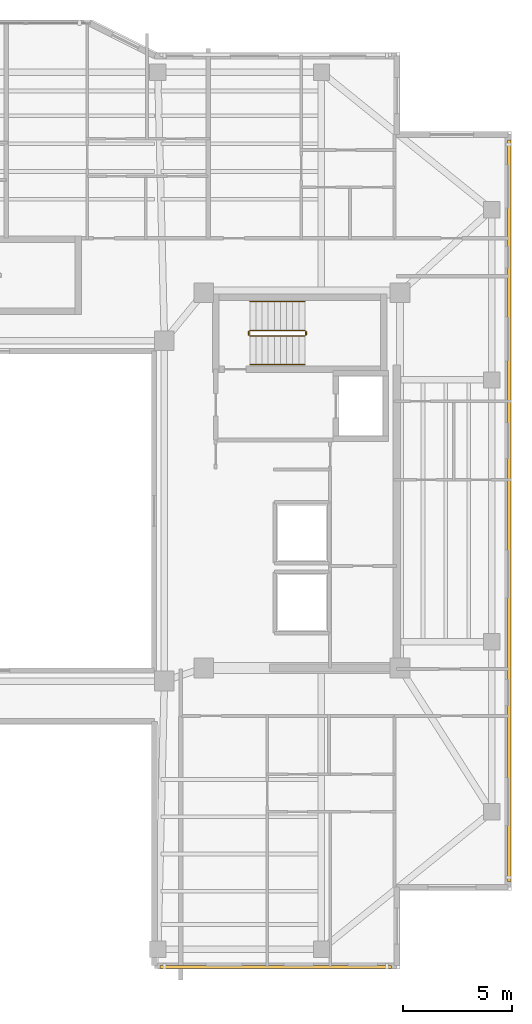
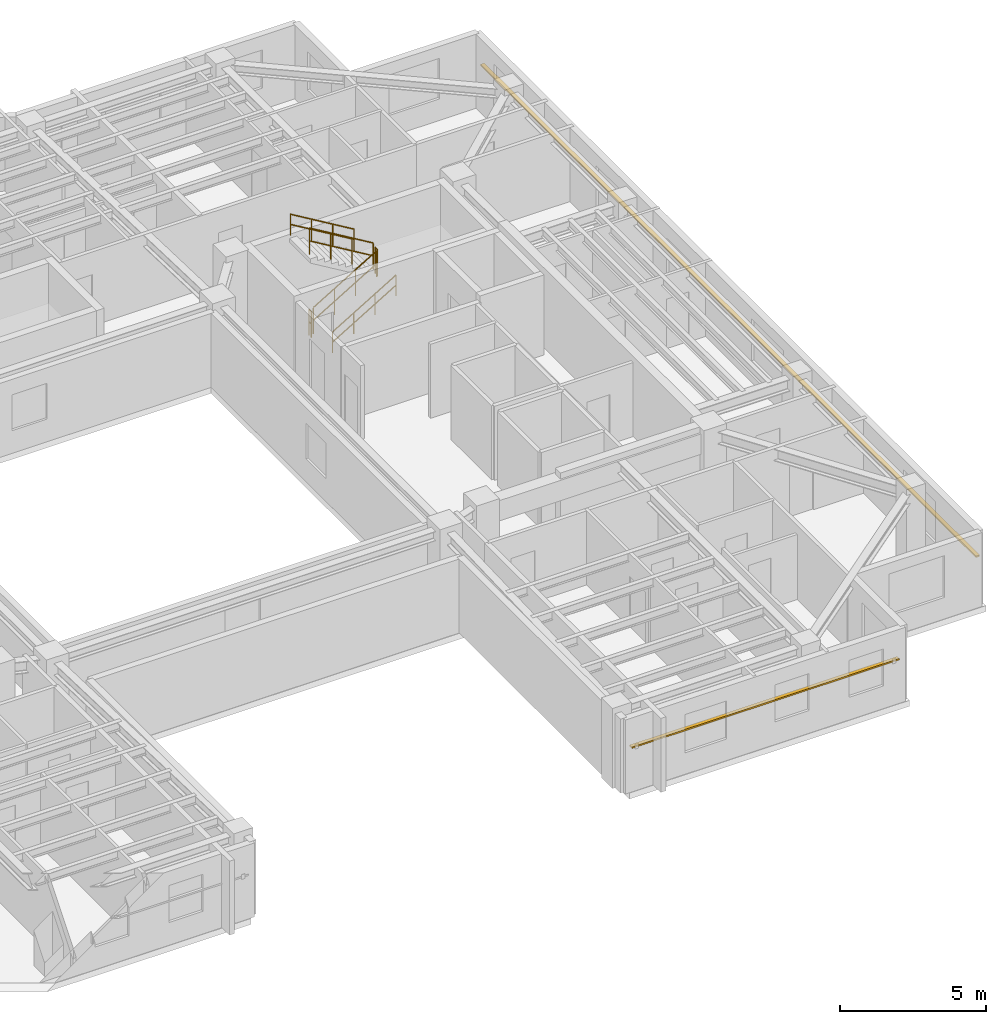
# One storey, part 11 of 12: 6 railings, 2 shading devices.
"""IFC4 building model written with IfcOpenShell, lengths in metres."""

from ifc_helpers import new_model, si_unit, direction, frame, origin, origin_2d, place, context, subcontext, project, spatial, rectangle, circle, extrude, material, material_profile, profile_set, type_object, element, save


model = new_model("IFC4")

# Units and contexts
model_context = context("Model", 3, precision=1e-05, world=origin(), true_north=direction((0.0, 1.0)))
body_context = subcontext(model_context, "Body", "Model", "MODEL_VIEW")
ifc_project = project(units=[si_unit("LENGTHUNIT", "METRE"), si_unit("AREAUNIT", "SQUARE_METRE"), si_unit("VOLUMEUNIT", "CUBIC_METRE"), si_unit("PLANEANGLEUNIT", "RADIAN"), si_unit("MASSUNIT", "GRAM", prefix="KILO")], contexts=[model_context])

# Site, building, storey
site_placement = place(None, origin())
site = spatial("IfcSite", under=ifc_project, at=site_placement, CompositionType="ELEMENT")
building_placement = place(site_placement, origin())
building = spatial("IfcBuilding", under=site, at=building_placement, Name="Tarnavaz Court Tower", CompositionType="ELEMENT")
storey_placement = place(building_placement, frame((0.0, 0.0, 200.300048828125)))
storey = spatial("IfcBuildingStorey", under=building, at=storey_placement, Name="L54", CompositionType="ELEMENT", Elevation=200.300048828125)

# Railings
ifc_material_1 = material(Name="Brushed Stainless Steel", Category="steel")
railing_type_1 = type_object("IfcRailingType", Name="RL-HANDRAIL-900", PredefinedType="HANDRAIL", material=ifc_material_1)
railing_1_placement = place(storey_placement, frame((11.719970703125, 6.699951171875, 0.16748046875)))
element("IfcRailing", 1, at=railing_1_placement, inside=storey, type_object=railing_type_1, Name="L54 ST-E1 stair handrail 1", PredefinedType="HANDRAIL", context=body_context, shape_type="SweptSolid", body=[
    extrude(circle(Radius=0.02392578125, at=origin_2d()), frame((0.0, 0.0, 0.8759765625), z_axis=(0.858159760407, 0.0, 0.513382728203), x_axis=(0.0, 1.0, 0.0)), (0.0, 0.0, 1.0), 2.9365234375),
    extrude(circle(Radius=0.02392578125, at=origin_2d()), frame((0.0, 0.0, 0.449951171875), z_axis=(0.858159760407, 0.0, 0.513382728203), x_axis=(0.0, 1.0, 0.0)), (0.0, 0.0, 1.0), 2.9365234375),
    extrude(circle(Radius=0.02099609375, at=origin_2d()), origin(), (0.0, 0.0, 1.0), 0.851806640625),
    extrude(circle(Radius=0.02099609375, at=origin_2d()), frame((0.840087890625, 0.0, 0.50244140625)), (0.0, 0.0, 1.0), 0.851806640625),
    extrude(circle(Radius=0.02099609375, at=origin_2d()), frame((1.679931640625, 0.0, 1.005126953125)), (0.0, 0.0, 1.0), 0.851806640625),
    extrude(circle(Radius=0.02099609375, at=origin_2d()), frame((2.52001953125, 0.0, 1.507568359375)), (0.0, 0.0, 1.0), 0.851806640625),
])
railing_2_placement = place(storey_placement, frame((14.239990234375, 9.590087890625, 1.842529296875)))
element("IfcRailing", 2, at=railing_2_placement, inside=storey, type_object=railing_type_1, Name="L54 ST-E1 stair handrail 2", PredefinedType="HANDRAIL", context=body_context, shape_type="SweptSolid", body=[
    extrude(circle(Radius=0.02392578125, at=origin_2d()), frame((0.0, 0.0, 0.8759765625), z_axis=(-0.858196387827, 0.0, 0.513321497621), x_axis=(0.0, -1.0, 0.0)), (0.0, 0.0, 1.0), 2.9365234375),
    extrude(circle(Radius=0.02392578125, at=origin_2d()), frame((0.0, 0.0, 0.449951171875), z_axis=(-0.858196387827, 0.0, 0.513321497621), x_axis=(0.0, -1.0, 0.0)), (0.0, 0.0, 1.0), 2.9365234375),
    extrude(circle(Radius=0.02099609375, at=origin_2d()), origin(), (0.0, 0.0, 1.0), 0.851806640625),
    extrude(circle(Radius=0.02099609375, at=origin_2d()), frame((-0.840087890625, 0.0, 0.50244140625)), (0.0, 0.0, 1.0), 0.851806640625),
    extrude(circle(Radius=0.02099609375, at=origin_2d()), frame((-1.679931640625, 0.0, 1.0048828125)), (0.0, 0.0, 1.0), 0.851806640625),
    extrude(circle(Radius=0.02099609375, at=origin_2d()), frame((-2.52001953125, 0.0, 1.50732421875)), (0.0, 0.0, 1.0), 0.851806640625),
])
ifc_material_2 = material(Name="Galvanized Painted Tubular Steel", Category="steel")
railing_type_2 = type_object("IfcRailingType", Name="RL-STGUARD-1120", PredefinedType="GUARDRAIL", material=ifc_material_2)
railing_3_placement = place(storey_placement, frame((11.719970703125, 8.02001953125, 0.16748046875)))
element("IfcRailing", 3, at=railing_3_placement, inside=storey, type_object=railing_type_2, Name="L54 ST-E1 stair guard 1", PredefinedType="GUARDRAIL", context=body_context, shape_type="SweptSolid", body=[
    extrude(circle(Radius=0.02392578125, at=origin_2d()), frame((0.0, 0.0, 1.09619140625), z_axis=(0.858159760407, 0.0, 0.513382728203), x_axis=(0.0, 1.0, 0.0)), (0.0, 0.0, 1.0), 2.9365234375),
    extrude(circle(Radius=0.02392578125, at=origin_2d()), frame((0.0, 0.0, 0.56005859375), z_axis=(0.858159760407, 0.0, 0.513382728203), x_axis=(0.0, 1.0, 0.0)), (0.0, 0.0, 1.0), 2.9365234375),
    extrude(circle(Radius=0.02099609375, at=origin_2d()), origin(), (0.0, 0.0, 1.0), 1.072021484375),
    extrude(circle(Radius=0.02099609375, at=origin_2d()), frame((0.840087890625, 0.0, 0.50244140625)), (0.0, 0.0, 1.0), 1.072021484375),
    extrude(circle(Radius=0.02099609375, at=origin_2d()), frame((1.679931640625, 0.0, 1.005126953125)), (0.0, 0.0, 1.0), 1.072021484375),
    extrude(circle(Radius=0.02099609375, at=origin_2d()), frame((2.52001953125, 0.0, 1.507568359375)), (0.0, 0.0, 1.0), 1.072021484375),
])
railing_4_placement = place(storey_placement, frame((14.2900390625, 8.070068359375, 1.675048828125)))
element("IfcRailing", 4, at=railing_4_placement, inside=storey, type_object=railing_type_2, Name="L54 ST-E1 stair guard 2", PredefinedType="GUARDRAIL", context=body_context, shape_type="SweptSolid", body=[
    extrude(circle(Radius=0.02392578125, at=origin_2d()), frame((0.0, 0.0, 1.09619140625), z_axis=(0.0, 1.0, 0.0), x_axis=(-1.0, 0.0, 0.0)), (0.0, 0.0, 1.0), 0.14990234375),
    extrude(circle(Radius=0.02392578125, at=origin_2d()), frame((0.0, 0.0, 0.56005859375), z_axis=(0.0, 1.0, 0.0), x_axis=(-1.0, 0.0, 0.0)), (0.0, 0.0, 1.0), 0.14990234375),
    extrude(circle(Radius=0.02099609375, at=origin_2d()), origin(), (0.0, 0.0, 1.0), 1.072021484375),
    extrude(circle(Radius=0.02099609375, at=origin_2d()), frame((0.0, 0.14990234375, 0.0)), (0.0, 0.0, 1.0), 1.072021484375),
])
railing_5_placement = place(storey_placement, frame((14.239990234375, 8.27001953125, 1.842529296875)))
element("IfcRailing", 5, at=railing_5_placement, inside=storey, type_object=railing_type_2, Name="L54 ST-E1 stair guard 3", PredefinedType="GUARDRAIL", context=body_context, shape_type="SweptSolid", body=[
    extrude(circle(Radius=0.02392578125, at=origin_2d()), frame((0.0, 0.0, 1.09619140625), z_axis=(-0.858196387827, 0.0, 0.513321497621), x_axis=(0.0, -1.0, 0.0)), (0.0, 0.0, 1.0), 2.9365234375),
    extrude(circle(Radius=0.02392578125, at=origin_2d()), frame((0.0, 0.0, 0.56005859375), z_axis=(-0.858196387827, 0.0, 0.513321497621), x_axis=(0.0, -1.0, 0.0)), (0.0, 0.0, 1.0), 2.9365234375),
    extrude(circle(Radius=0.02099609375, at=origin_2d()), origin(), (0.0, 0.0, 1.0), 1.072021484375),
    extrude(circle(Radius=0.02099609375, at=origin_2d()), frame((-0.840087890625, 0.0, 0.50244140625)), (0.0, 0.0, 1.0), 1.072021484375),
    extrude(circle(Radius=0.02099609375, at=origin_2d()), frame((-1.679931640625, 0.0, 1.0048828125)), (0.0, 0.0, 1.0), 1.072021484375),
    extrude(circle(Radius=0.02099609375, at=origin_2d()), frame((-2.52001953125, 0.0, 1.50732421875)), (0.0, 0.0, 1.0), 1.072021484375),
])
railing_6_placement = place(storey_placement, frame((11.669921875, 8.070068359375, 0.0)))
element("IfcRailing", 6, at=railing_6_placement, inside=storey, type_object=railing_type_2, Name="L54 ST-E1 stair guard 4", PredefinedType="GUARDRAIL", context=body_context, shape_type="SweptSolid", body=[
    extrude(circle(Radius=0.02392578125, at=origin_2d()), frame((0.0, 0.0, 1.09619140625), z_axis=(0.0, 1.0, 0.0), x_axis=(-1.0, 0.0, 0.0)), (0.0, 0.0, 1.0), 0.14990234375),
    extrude(circle(Radius=0.02392578125, at=origin_2d()), frame((0.0, 0.0, 0.56005859375), z_axis=(0.0, 1.0, 0.0), x_axis=(-1.0, 0.0, 0.0)), (0.0, 0.0, 1.0), 0.14990234375),
    extrude(circle(Radius=0.02099609375, at=origin_2d()), origin(), (0.0, 0.0, 1.0), 1.072021484375),
    extrude(circle(Radius=0.02099609375, at=origin_2d()), frame((0.0, 0.14990234375, 0.0)), (0.0, 0.0, 1.0), 1.072021484375),
])

# Shading devices
ifc_material_3 = material(Name="Kiln-Fired Khorasan Terracotta Ceramic", Category="masonry")
ifc_material_profile = material_profile(ifc_material_3, rectangle(XDim=0.14990234375, YDim=0.06494140625, at=origin_2d()), Name="TC BAGUETTE 150X65")
ifc_profile_set = profile_set([ifc_material_profile], Name="Kiln-Fired Khorasan Terracotta Ceramic")
shading_device_type = type_object("IfcShadingDeviceType", Name="SD-BAG-150", PredefinedType="USERDEFINED", material=ifc_profile_set)
shading_device_1_placement = place(storey_placement, frame((23.610107421875, 17.0, 1.849853515625), z_axis=(0.0, -1.0, 0.0), x_axis=(1.0, 0.0, 0.0)))
element("IfcShadingDevice", 7, at=shading_device_1_placement, inside=storey, type_object=shading_device_type, Name="L54 Terracotta Baguette Screen FBG12", ObjectType="BAGUETTE", PredefinedType="USERDEFINED", context=body_context, shape_type="SweptSolid", body=[
    extrude(rectangle(XDim=0.14990234375, YDim=0.06494140625, at=origin_2d()), origin(), (0.0, 0.0, 1.0), 34.0),
])
shading_device_2_placement = place(storey_placement, frame((18.199951171875, -20.909912109375, 1.849853515625), z_axis=(-1.0, 0.0, 0.0), x_axis=(0.0, -1.0, 0.0)))
element("IfcShadingDevice", 8, at=shading_device_2_placement, inside=storey, type_object=shading_device_type, Name="L54 Terracotta Baguette Screen FBG15", ObjectType="BAGUETTE", PredefinedType="USERDEFINED", context=body_context, shape_type="SweptSolid", body=[
    extrude(rectangle(XDim=0.14990234375, YDim=0.06494140625, at=origin_2d()), origin(), (0.0, 0.0, 1.0), 10.599853515625),
])

save(model, "model.ifc")
